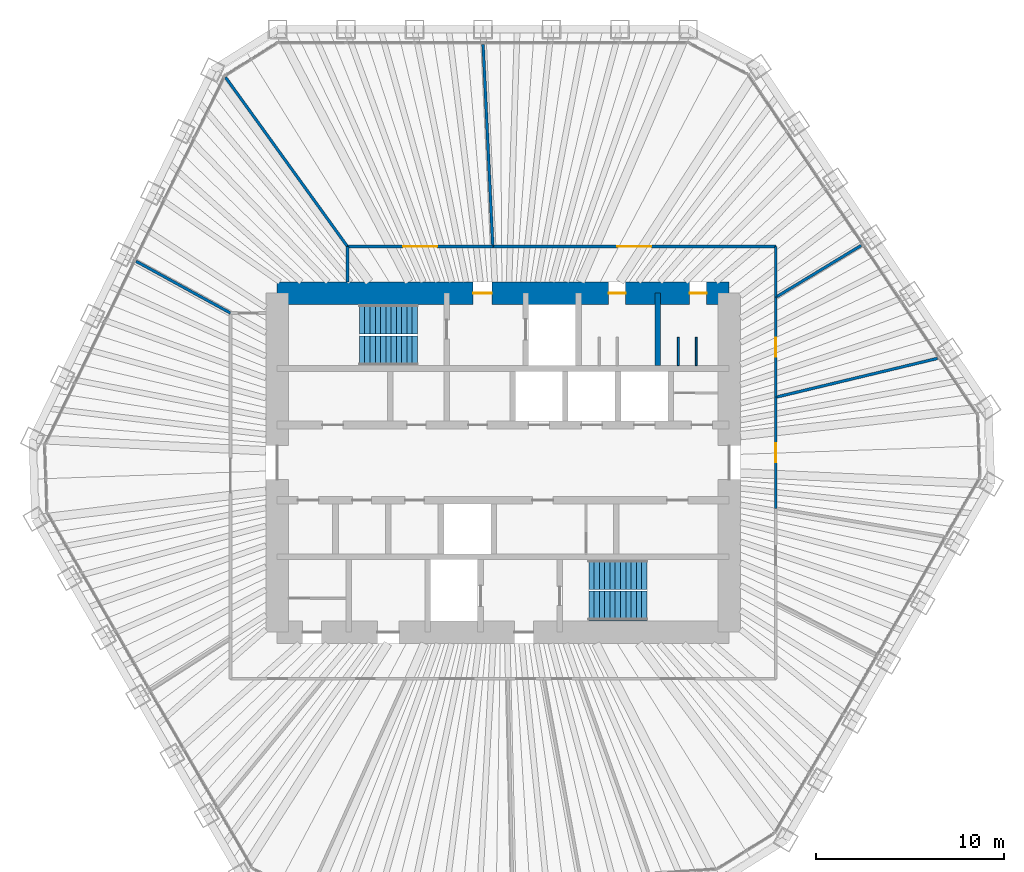
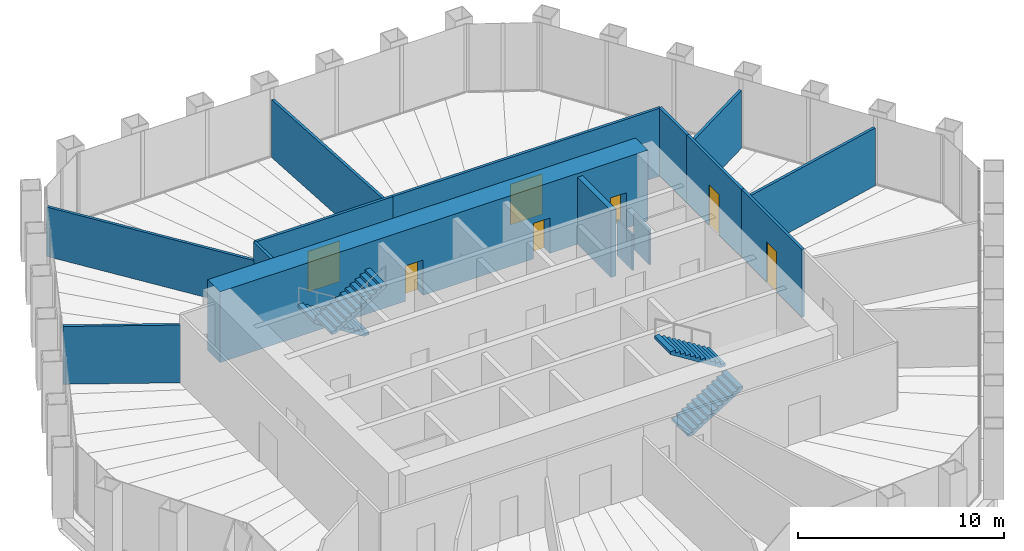
# One storey, part 12 of 13: 15 walls, 7 doors, 4 stair flights, 7 openings, 2 elements without a shape of their own.
"""IFC4 building model written with IfcOpenShell, lengths in metres."""

from ifc_helpers import new_model, si_unit, direction, frame, frame_2d, origin, place, context, subcontext, project, spatial, polyline, rectangle, outline, extrude, material, layer, layer_set, type_object, element, fill, aggregate, save


model = new_model("IFC4")

# Units and contexts
model_context = context("Model", 3, precision=1e-05, world=origin(), true_north=direction((0.0, 1.0)))
body_context = subcontext(model_context, "Body", "Model", "MODEL_VIEW")
ifc_project = project(units=[si_unit("LENGTHUNIT", "METRE"), si_unit("AREAUNIT", "SQUARE_METRE"), si_unit("VOLUMEUNIT", "CUBIC_METRE"), si_unit("PLANEANGLEUNIT", "RADIAN"), si_unit("MASSUNIT", "GRAM", prefix="KILO")], contexts=[model_context])

# Site, building, storey
site_placement = place(None, origin())
site = spatial("IfcSite", under=ifc_project, at=site_placement, CompositionType="ELEMENT")
building_placement = place(site_placement, origin())
building = spatial("IfcBuilding", under=site, at=building_placement, Name="Qingtian Harvest Tower", CompositionType="ELEMENT")
storey_placement = place(building_placement, frame((0.0, 0.0, 230.800048828125)))
storey = spatial("IfcBuildingStorey", under=building, at=storey_placement, Name="L50", CompositionType="ELEMENT", Elevation=230.800048828125)

# Wall
ifc_material_1 = material(Name="Precast concrete shaft panel", Category="concrete")
ifc_layer_1 = layer(ifc_material_1, 0.300048828125)
ifc_layer_set_1 = layer_set([ifc_layer_1], Name="Core shaft partition SW1 300")
wall_type_1 = type_object("IfcWallType", Name="Core shaft partition SW1 300", PredefinedType="PARTITIONING", material=ifc_layer_set_1)
wall_1_placement = place(storey_placement, frame((8.199951171875, 5.14990234375, 0.0), z_axis=(0.0, 0.0, 1.0), x_axis=(0.0, 1.0, 0.0)))
element("IfcWall", 1, at=wall_1_placement, inside=storey, type_object=wall_type_1, Name="Core shaft partition XN4 L50", PredefinedType="PARTITIONING", context=body_context, shape_type="SweptSolid", body=[
    extrude(rectangle(XDim=3.85009765625, YDim=0.300048828125, at=frame_2d((1.925048828125, 0.0))), origin(), (0.0, 0.0, 1.0), 3.97998046875),
])

# Wall, openings, doors
ifc_material_2 = material(Name="Concrete fc' 70 MPa", Category="concrete")
ifc_layer_2 = layer(ifc_material_2, 1.199951171875)
ifc_layer_set_2 = layer_set([ifc_layer_2], Name="Core wall RC2 1200")
wall_type_2 = type_object("IfcWallType", Name="Core wall RC2 1200", PredefinedType="SHEAR", material=ifc_layer_set_2)
wall_2_placement = place(storey_placement, frame((-12.0, 9.0, 0.0), z_axis=(0.0, 0.0, 1.0), x_axis=(1.0, 0.0, 0.0)))
wall_2 = element("IfcWall", 2, at=wall_2_placement, inside=storey, type_object=wall_type_2, Name="Core wall CN L50", PredefinedType="SHEAR", context=body_context, shape_type="SweptSolid", body=[
    extrude(rectangle(XDim=24.0, YDim=1.199951171875, at=frame_2d((12.0, 0.0))), origin(), (0.0, 0.0, 1.0), 4.199951171875),
])
opening_1_placement = place(wall_2_placement, frame((10.39990234375, 0.0, 0.0)))
opening_1 = element("IfcOpeningElement", 3, at=opening_1_placement, cuts=wall_2, Name="Opening FD1", PredefinedType="OPENING", context=body_context, shape_type="SweptSolid", body=[
    extrude(rectangle(XDim=1.0, YDim=2.10009765625, at=frame_2d((0.5, 1.050048828125))), frame((0.0, 0.60986328125, 0.0), z_axis=(0.0, -1.0, 0.0), x_axis=(1.0, 0.0, 0.0)), (0.0, 0.0, 1.0), 1.219970703125),
])
opening_2_placement = place(wall_2_placement, frame((17.60009765625, 0.0, 0.0)))
opening_2 = element("IfcOpeningElement", 4, at=opening_2_placement, cuts=wall_2, Name="Opening D1", PredefinedType="OPENING", context=body_context, shape_type="SweptSolid", body=[
    extrude(rectangle(XDim=0.89990234375, YDim=2.10009765625, at=frame_2d((0.449951171875, 1.050048828125))), frame((0.0, 0.60986328125, 0.0), z_axis=(0.0, -1.0, 0.0), x_axis=(1.0, 0.0, 0.0)), (0.0, 0.0, 1.0), 1.219970703125),
])
opening_3_placement = place(wall_2_placement, frame((21.89990234375, 0.0, 0.0)))
opening_3 = element("IfcOpeningElement", 5, at=opening_3_placement, cuts=wall_2, Name="Opening D1", PredefinedType="OPENING", context=body_context, shape_type="SweptSolid", body=[
    extrude(rectangle(XDim=0.89990234375, YDim=2.10009765625, at=frame_2d((0.449951171875, 1.050048828125))), frame((0.0, 0.60986328125, 0.0), z_axis=(0.0, -1.0, 0.0), x_axis=(1.0, 0.0, 0.0)), (0.0, 0.0, 1.0), 1.219970703125),
])
ifc_material_3 = material(Name="Steel-faced door leaf", Category="steel")
door_type_1 = type_object("IfcDoorType", Name="Fire door FD1 single 1 HR", OperationType="SINGLE_SWING_LEFT", PredefinedType="DOOR", material=ifc_material_3)
door_1_placement = place(opening_1_placement, origin())
door_1 = element("IfcDoor", 6, at=door_1_placement, inside=storey, type_object=door_type_1, Name="V1 door L50", OperationType="SINGLE_SWING_RIGHT", OverallHeight=2.10009765625, OverallWidth=1.0, PredefinedType="DOOR", context=body_context, shape_type="SweptSolid", body=[
    extrude(rectangle(XDim=1.0, YDim=2.10009765625, at=frame_2d((0.5, 1.050048828125))), frame((0.0, 0.02490234375, 0.0), z_axis=(0.0, -1.0, 0.0), x_axis=(1.0, 0.0, 0.0)), (0.0, 0.0, 1.0), 0.050048828125),
])
fill(opening_1, door_1)
ifc_material_4 = material(Name="Laminated timber door leaf", Category="wood")
door_type_2 = type_object("IfcDoorType", Name="Toilet door D1 single", OperationType="SINGLE_SWING_LEFT", PredefinedType="DOOR", material=ifc_material_4)
door_2_placement = place(opening_2_placement, origin())
door_2 = element("IfcDoor", 7, at=door_2_placement, inside=storey, type_object=door_type_2, Name="WCM door L50", OperationType="SINGLE_SWING_LEFT", OverallHeight=2.10009765625, OverallWidth=0.89990234375, PredefinedType="DOOR", context=body_context, shape_type="SweptSolid", body=[
    extrude(rectangle(XDim=0.89990234375, YDim=2.10009765625, at=frame_2d((0.449951171875, 1.050048828125))), frame((0.0, 0.02490234375, 0.0), z_axis=(0.0, -1.0, 0.0), x_axis=(1.0, 0.0, 0.0)), (0.0, 0.0, 1.0), 0.050048828125),
])
fill(opening_2, door_2)
door_3_placement = place(opening_3_placement, origin())
door_3 = element("IfcDoor", 8, at=door_3_placement, inside=storey, type_object=door_type_2, Name="WCF door L50", OperationType="SINGLE_SWING_LEFT", OverallHeight=2.10009765625, OverallWidth=0.89990234375, PredefinedType="DOOR", context=body_context, shape_type="SweptSolid", body=[
    extrude(rectangle(XDim=0.89990234375, YDim=2.10009765625, at=frame_2d((0.449951171875, 1.050048828125))), frame((0.0, 0.02490234375, 0.0), z_axis=(0.0, -1.0, 0.0), x_axis=(1.0, 0.0, 0.0)), (0.0, 0.0, 1.0), 0.050048828125),
])
fill(opening_3, door_3)

# Walls
ifc_material_5 = material(Name="Gypsum board on steel studs", Category="steel")
ifc_layer_3 = layer(ifc_material_5, 0.14990234375)
ifc_layer_set_3 = layer_set([ifc_layer_3], Name="Partition PT1 150")
wall_type_3 = type_object("IfcWallType", Name="Partition PT1 150", PredefinedType="PARTITIONING", material=ifc_layer_set_3)
wall_3_placement = place(storey_placement, frame((-19.48583984375, 10.6904296875, 0.0), z_axis=(0.0, 0.0, 1.0), x_axis=(0.876724089264, -0.480993629172, 0.0)))
element("IfcWall", 9, at=wall_3_placement, inside=storey, type_object=wall_type_3, Name="Office suite wall L50", PredefinedType="PARTITIONING", context=body_context, shape_type="SweptSolid", body=[
    extrude(rectangle(XDim=5.71533203125, YDim=0.14990234375, at=frame_2d((2.857666015625, 0.0))), origin(), (0.0, 0.0, 1.0), 3.429931640625),
])
wall_4_placement = place(storey_placement, frame((-8.26708984375, 9.60009765625, 0.0), z_axis=(0.0, 0.0, 1.0), x_axis=(0.0, 1.0, 0.0)))
element("IfcWall", 10, at=wall_4_placement, inside=storey, type_object=wall_type_3, Name="Office suite wall L50", PredefinedType="PARTITIONING", context=body_context, shape_type="SweptSolid", body=[
    extrude(rectangle(XDim=1.875, YDim=0.14990234375, at=frame_2d((0.9375, 0.0))), origin(), (0.0, 0.0, 1.0), 4.030029296875),
])
wall_5_placement = place(storey_placement, frame((-14.736572265625, 20.454833984375, 0.0), z_axis=(0.0, 0.0, 1.0), x_axis=(0.584547025688, -0.811359830629, 0.0)))
element("IfcWall", 11, at=wall_5_placement, inside=storey, type_object=wall_type_3, Name="Meeting room wall L50", PredefinedType="PARTITIONING", context=body_context, shape_type="SweptSolid", body=[
    extrude(rectangle(XDim=11.067626953125, YDim=0.14990234375, at=frame_2d((5.53369140625, 0.0))), origin(), (0.0, 0.0, 1.0), 2.929931640625),
])

# Wall, opening, door
wall_6_placement = place(storey_placement, frame((-8.26708984375, 11.47509765625, 0.0), z_axis=(0.0, 0.0, 1.0), x_axis=(1.0, 0.0, 0.0)))
wall_6 = element("IfcWall", 12, at=wall_6_placement, inside=storey, type_object=wall_type_3, Name="Meeting room wall L50", PredefinedType="PARTITIONING", context=body_context, shape_type="SweptSolid", body=[
    extrude(rectangle(XDim=7.7158203125, YDim=0.14990234375, at=frame_2d((3.85791015625, 0.0))), origin(), (0.0, 0.0, 1.0), 4.030029296875),
])
opening_4_placement = place(wall_6_placement, frame((2.957763671875, 0.0, 0.0)))
opening_4 = element("IfcOpeningElement", 13, at=opening_4_placement, cuts=wall_6, Name="Opening D3", PredefinedType="OPENING", context=body_context, shape_type="SweptSolid", body=[
    extrude(rectangle(XDim=1.800048828125, YDim=2.39990234375, at=frame_2d((0.89990234375, 1.199951171875))), frame((0.0, 0.0849609375, 0.0), z_axis=(0.0, -1.0, 0.0), x_axis=(1.0, 0.0, 0.0)), (0.0, 0.0, 1.0), 0.169921875),
])
ifc_material_6 = material(Name="Laminated timber door leaf", Category="wood")
door_type_3 = type_object("IfcDoorType", Name="Room door D3 double", OperationType="DOUBLE_DOOR_DOUBLE_SWING", PredefinedType="DOOR", material=ifc_material_6)
door_4_placement = place(opening_4_placement, origin())
door_4 = element("IfcDoor", 14, at=door_4_placement, inside=storey, type_object=door_type_3, Name="Meeting room door L50", OperationType="DOUBLE_DOOR_DOUBLE_SWING", OverallHeight=2.39990234375, OverallWidth=1.800048828125, PredefinedType="DOOR", context=body_context, shape_type="SweptSolid", body=[
    extrude(rectangle(XDim=1.800048828125, YDim=2.39990234375, at=frame_2d((0.89990234375, 1.199951171875))), frame((0.0, 0.02490234375, 0.0), z_axis=(0.0, -1.0, 0.0), x_axis=(1.0, 0.0, 0.0)), (0.0, 0.0, 1.0), 0.050048828125),
])
fill(opening_4, door_4)

# Wall
wall_7_placement = place(storey_placement, frame((-1.066650390625, 22.2001953125, 0.0), z_axis=(0.0, 0.0, 1.0), x_axis=(0.047998335863, -0.998847415652, 0.0)))
element("IfcWall", 15, at=wall_7_placement, inside=storey, type_object=wall_type_3, Name="Office suite wall L50", PredefinedType="PARTITIONING", context=body_context, shape_type="SweptSolid", body=[
    extrude(rectangle(XDim=10.737548828125, YDim=0.14990234375, at=frame_2d((5.36865234375, 0.0))), origin(), (0.0, 0.0, 1.0), 3.429931640625),
])

# Wall, opening, door
wall_8_placement = place(storey_placement, frame((-0.55126953125, 11.47509765625, 0.0), z_axis=(0.0, 0.0, 1.0), x_axis=(1.0, 0.0, 0.0)))
wall_8 = element("IfcWall", 16, at=wall_8_placement, inside=storey, type_object=wall_type_3, Name="Office suite wall L50", PredefinedType="PARTITIONING", context=body_context, shape_type="SweptSolid", body=[
    extrude(rectangle(XDim=15.0263671875, YDim=0.14990234375, at=frame_2d((7.51318359375, 0.0))), origin(), (0.0, 0.0, 1.0), 4.030029296875),
])
opening_5_placement = place(wall_8_placement, frame((6.613037109375, 0.0, 0.0)))
opening_5 = element("IfcOpeningElement", 17, at=opening_5_placement, cuts=wall_8, Name="Opening D3", PredefinedType="OPENING", context=body_context, shape_type="SweptSolid", body=[
    extrude(rectangle(XDim=1.800048828125, YDim=2.39990234375, at=frame_2d((0.89990234375, 1.199951171875))), frame((0.0, 0.0849609375, 0.0), z_axis=(0.0, -1.0, 0.0), x_axis=(1.0, 0.0, 0.0)), (0.0, 0.0, 1.0), 0.169921875),
])
door_5_placement = place(opening_5_placement, origin())
door_5 = element("IfcDoor", 18, at=door_5_placement, inside=storey, type_object=door_type_3, Name="Office suite door L50", OperationType="DOUBLE_DOOR_DOUBLE_SWING", OverallHeight=2.39990234375, OverallWidth=1.800048828125, PredefinedType="DOOR", context=body_context, shape_type="SweptSolid", body=[
    extrude(rectangle(XDim=1.800048828125, YDim=2.39990234375, at=frame_2d((0.89990234375, 1.199951171875))), frame((0.0, 0.02490234375, 0.0), z_axis=(0.0, -1.0, 0.0), x_axis=(1.0, 0.0, 0.0)), (0.0, 0.0, 1.0), 0.050048828125),
])
fill(opening_5, door_5)

# Walls
wall_9_placement = place(storey_placement, frame((14.47509765625, 11.47509765625, 0.0), z_axis=(0.0, 0.0, 1.0), x_axis=(0.0, -1.0, 0.0)))
element("IfcWall", 19, at=wall_9_placement, inside=storey, type_object=wall_type_3, Name="Office suite wall L50", PredefinedType="PARTITIONING", context=body_context, shape_type="SweptSolid", body=[
    extrude(rectangle(XDim=2.691650390625, YDim=0.14990234375, at=frame_2d((1.345703125, 0.0))), origin(), (0.0, 0.0, 1.0), 4.030029296875),
])
wall_10_placement = place(storey_placement, frame((19.001220703125, 11.530029296875, 0.0), z_axis=(0.0, 0.0, 1.0), x_axis=(-0.854906581035, -0.518781975114, 0.0)))
element("IfcWall", 20, at=wall_10_placement, inside=storey, type_object=wall_type_3, Name="Pantry wall L50", PredefinedType="PARTITIONING", context=body_context, shape_type="SweptSolid", body=[
    extrude(rectangle(XDim=5.294189453125, YDim=0.14990234375, at=frame_2d((2.64697265625, 0.0))), origin(), (0.0, 0.0, 1.0), 3.429931640625),
])

# Wall, opening, door
wall_11_placement = place(storey_placement, frame((14.47509765625, 8.783447265625, 0.0), z_axis=(0.0, 0.0, 1.0), x_axis=(0.0, -1.0, 0.0)))
wall_11 = element("IfcWall", 21, at=wall_11_placement, inside=storey, type_object=wall_type_3, Name="Pantry wall L50", PredefinedType="PARTITIONING", context=body_context, shape_type="SweptSolid", body=[
    extrude(rectangle(XDim=5.308837890625, YDim=0.14990234375, at=frame_2d((2.654296875, 0.0))), origin(), (0.0, 0.0, 1.0), 4.030029296875),
])
opening_6_placement = place(wall_11_placement, frame((2.154296875, 0.0, 0.0)))
opening_6 = element("IfcOpeningElement", 22, at=opening_6_placement, cuts=wall_11, Name="Opening D2", PredefinedType="OPENING", context=body_context, shape_type="SweptSolid", body=[
    extrude(rectangle(XDim=1.0, YDim=2.39990234375, at=frame_2d((0.5, 1.199951171875))), frame((0.0, 0.0849609375, 0.0), z_axis=(0.0, -1.0, 0.0), x_axis=(1.0, 0.0, 0.0)), (0.0, 0.0, 1.0), 0.169921875),
])
ifc_material_7 = material(Name="Laminated timber door leaf", Category="wood")
door_type_4 = type_object("IfcDoorType", Name="Room door D2 single", OperationType="SINGLE_SWING_LEFT", PredefinedType="DOOR", material=ifc_material_7)
door_6_placement = place(opening_6_placement, origin())
door_6 = element("IfcDoor", 23, at=door_6_placement, inside=storey, type_object=door_type_4, Name="Pantry door L50", OperationType="SINGLE_SWING_LEFT", OverallHeight=2.39990234375, OverallWidth=1.0, PredefinedType="DOOR", context=body_context, shape_type="SweptSolid", body=[
    extrude(rectangle(XDim=1.0, YDim=2.39990234375, at=frame_2d((0.5, 1.199951171875))), frame((0.0, 0.02490234375, 0.0), z_axis=(0.0, -1.0, 0.0), x_axis=(1.0, 0.0, 0.0)), (0.0, 0.0, 1.0), 0.050048828125),
])
fill(opening_6, door_6)

# Wall
wall_12_placement = place(storey_placement, frame((23.052978515625, 5.53369140625, 0.0), z_axis=(0.0, 0.0, 1.0), x_axis=(-0.972377252501, -0.233414821335, 0.0)))
element("IfcWall", 24, at=wall_12_placement, inside=storey, type_object=wall_type_3, Name="Private office wall L50", PredefinedType="PARTITIONING", context=body_context, shape_type="SweptSolid", body=[
    extrude(rectangle(XDim=8.821533203125, YDim=0.14990234375, at=frame_2d((4.41064453125, 0.0))), origin(), (0.0, 0.0, 1.0), 3.429931640625),
])

# Wall, opening, door
wall_13_placement = place(storey_placement, frame((14.47509765625, 3.474609375, 0.0), z_axis=(0.0, 0.0, 1.0), x_axis=(0.0, -1.0, 0.0)))
wall_13 = element("IfcWall", 25, at=wall_13_placement, inside=storey, type_object=wall_type_3, Name="Private office wall L50", PredefinedType="PARTITIONING", context=body_context, shape_type="SweptSolid", body=[
    extrude(rectangle(XDim=5.896484375, YDim=0.14990234375, at=frame_2d((2.9482421875, 0.0))), origin(), (0.0, 0.0, 1.0), 4.030029296875),
])
opening_7_placement = place(wall_13_placement, frame((2.4482421875, 0.0, 0.0)))
opening_7 = element("IfcOpeningElement", 26, at=opening_7_placement, cuts=wall_13, Name="Opening D2", PredefinedType="OPENING", context=body_context, shape_type="SweptSolid", body=[
    extrude(rectangle(XDim=1.0, YDim=2.39990234375, at=frame_2d((0.5, 1.199951171875))), frame((0.0, 0.0849609375, 0.0), z_axis=(0.0, -1.0, 0.0), x_axis=(1.0, 0.0, 0.0)), (0.0, 0.0, 1.0), 0.169921875),
])
door_7_placement = place(opening_7_placement, origin())
door_7 = element("IfcDoor", 27, at=door_7_placement, inside=storey, type_object=door_type_4, Name="Private office door L50", OperationType="SINGLE_SWING_RIGHT", OverallHeight=2.39990234375, OverallWidth=1.0, PredefinedType="DOOR", context=body_context, shape_type="SweptSolid", body=[
    extrude(rectangle(XDim=1.0, YDim=2.39990234375, at=frame_2d((0.5, 1.199951171875))), frame((0.0, 0.02490234375, 0.0), z_axis=(0.0, -1.0, 0.0), x_axis=(1.0, 0.0, 0.0)), (0.0, 0.0, 1.0), 0.050048828125),
])
fill(opening_7, door_7)

# Walls
ifc_material_8 = material(Name="Compact laminate cubicle partition", Category="plastic")
ifc_layer_4 = layer(ifc_material_8, 0.10009765625)
ifc_layer_set_4 = layer_set([ifc_layer_4], Name="WC cubicle partition WP1 100")
wall_type_4 = type_object("IfcWallType", Name="WC cubicle partition WP1 100", PredefinedType="PARTITIONING", material=ifc_layer_set_4)
for number, where, z_axis, x_axis, name in (
    (28, (9.300048828125, 5.14990234375, 0.0), (0.0, 0.0, 1.0), (0.0, 1.0, 0.0), "WC cubicle partition WCF L50"),
    (29, (10.25, 5.14990234375, 0.0), (0.0, 0.0, 1.0), (0.0, 1.0, 0.0), "WC cubicle partition WCF L50"),
):
    element("IfcWall", number, at=place(storey_placement, frame(where, z_axis=z_axis, x_axis=x_axis)), inside=storey, type_object=wall_type_4, Name=name, PredefinedType="PARTITIONING", context=body_context, shape_type="SweptSolid", body=[
        extrude(rectangle(XDim=1.5, YDim=0.10009765625, at=frame_2d((0.75, 0.0))), origin(), (0.0, 0.0, 1.0), 2.099853515625),
    ])

# Stair, stair flights
ifc_material_9 = material(Name="Concrete fc' 35 MPa", Category="concrete")
stair_type = type_object("IfcStairType", Name="Special stair ST4 4200", PredefinedType="HALF_TURN_STAIR", material=ifc_material_9)
stair_1_placement = place(storey_placement, origin())
stair_1 = element("IfcStair", 30, at=stair_1_placement, inside=storey, type_object=stair_type, Name="Special stair S1 L50", PredefinedType="HALF_TURN_STAIR")
ifc_material_10 = material(Name="Concrete fc' 35 MPa", Category="concrete")
stair_flight_type = type_object("IfcStairFlightType", Name="Stair flight SF4 4200", PredefinedType="STRAIGHT", material=ifc_material_10)
stair_flight_1_placement = place(storey_placement, frame((-4.550048828125, 7.612548828125, 0.0), z_axis=(0.0, 0.0, 1.0), x_axis=(-1.0, 0.0, 0.0)))
stair_flight_1 = element("IfcStairFlight", 31, at=stair_flight_1_placement, type_object=stair_flight_type, Name="S1 flight 1", NumberOfRisers=12, NumberOfTreads=11, PredefinedType="STRAIGHT", RiserHeight=0.175, TreadLength=0.28, context=body_context, shape_type="SweptSolid", body=[
    extrude(outline(polyline([(0.0, 0.0), (0.0, 0.175048828125), (0.280029296875, 0.175048828125), (0.280029296875, 0.35009765625), (0.56005859375, 0.35009765625), (0.56005859375, 0.52490234375), (0.840087890625, 0.52490234375), (0.840087890625, 0.699951171875), (1.1201171875, 0.699951171875), (1.1201171875, 0.875), (1.39990234375, 0.875), (1.39990234375, 1.050048828125), (1.679931640625, 1.050048828125), (1.679931640625, 1.22509765625), (1.9599609375, 1.22509765625), (1.9599609375, 1.39990234375), (2.239990234375, 1.39990234375), (2.239990234375, 1.574951171875), (2.52001953125, 1.574951171875), (2.52001953125, 1.75), (2.800048828125, 1.75), (2.800048828125, 1.925048828125), (3.080078125, 1.925048828125), (3.080078125, 2.10009765625), (3.080078125, 1.748291015625), (0.28271484375, 0.0), (0.0, 0.0)])), frame((0.0, 0.78759765625, 0.0), z_axis=(0.0, -1.0, 0.0), x_axis=(1.0, 0.0, 0.0)), (0.0, 0.0, 1.0), 1.574951171875),
])
stair_flight_2_placement = place(storey_placement, frame((-7.6298828125, 5.9375, 2.099853515625), z_axis=(0.0, 0.0, 1.0), x_axis=(1.0, 0.0, 0.0)))
stair_flight_2 = element("IfcStairFlight", 32, at=stair_flight_2_placement, type_object=stair_flight_type, Name="S1 flight 2", NumberOfRisers=12, NumberOfTreads=11, PredefinedType="STRAIGHT", RiserHeight=0.175, TreadLength=0.28, context=body_context, shape_type="SweptSolid", body=[
    extrude(outline(polyline([(0.0, 0.0), (0.0, 0.175048828125), (0.280029296875, 0.175048828125), (0.280029296875, 0.35009765625), (0.56005859375, 0.35009765625), (0.56005859375, 0.52490234375), (0.840087890625, 0.52490234375), (0.840087890625, 0.699951171875), (1.1201171875, 0.699951171875), (1.1201171875, 0.875), (1.39990234375, 0.875), (1.39990234375, 1.050048828125), (1.679931640625, 1.050048828125), (1.679931640625, 1.22509765625), (1.9599609375, 1.22509765625), (1.9599609375, 1.39990234375), (2.239990234375, 1.39990234375), (2.239990234375, 1.574951171875), (2.52001953125, 1.574951171875), (2.52001953125, 1.75), (2.800048828125, 1.75), (2.800048828125, 1.925048828125), (3.080078125, 1.925048828125), (3.080078125, 2.10009765625), (3.080078125, 1.748291015625), (0.28271484375, 0.0), (0.0, 0.0)])), frame((0.0, 0.78759765625, 0.0), z_axis=(0.0, -1.0, 0.0), x_axis=(1.0, 0.0, 0.0)), (0.0, 0.0, 1.0), 1.574951171875),
])
aggregate(stair_1, [stair_flight_1, stair_flight_2])

stair_2_placement = place(storey_placement, origin())
stair_2 = element("IfcStair", 33, at=stair_2_placement, inside=storey, type_object=stair_type, Name="Special stair S2 L50", PredefinedType="HALF_TURN_STAIR")
stair_flight_3_placement = place(storey_placement, frame((4.550048828125, -7.612548828125, 0.0), z_axis=(0.0, 0.0, 1.0), x_axis=(1.0, 0.0, 0.0)))
stair_flight_3 = element("IfcStairFlight", 34, at=stair_flight_3_placement, type_object=stair_flight_type, Name="S2 flight 1", NumberOfRisers=12, NumberOfTreads=11, PredefinedType="STRAIGHT", RiserHeight=0.175, TreadLength=0.28, context=body_context, shape_type="SweptSolid", body=[
    extrude(outline(polyline([(0.0, 0.0), (0.0, 0.175048828125), (0.280029296875, 0.175048828125), (0.280029296875, 0.35009765625), (0.56005859375, 0.35009765625), (0.56005859375, 0.52490234375), (0.840087890625, 0.52490234375), (0.840087890625, 0.699951171875), (1.1201171875, 0.699951171875), (1.1201171875, 0.875), (1.39990234375, 0.875), (1.39990234375, 1.050048828125), (1.679931640625, 1.050048828125), (1.679931640625, 1.22509765625), (1.9599609375, 1.22509765625), (1.9599609375, 1.39990234375), (2.239990234375, 1.39990234375), (2.239990234375, 1.574951171875), (2.52001953125, 1.574951171875), (2.52001953125, 1.75), (2.800048828125, 1.75), (2.800048828125, 1.925048828125), (3.080078125, 1.925048828125), (3.080078125, 2.10009765625), (3.080078125, 1.748291015625), (0.28271484375, 0.0), (0.0, 0.0)])), frame((0.0, 0.78759765625, 0.0), z_axis=(0.0, -1.0, 0.0), x_axis=(1.0, 0.0, 0.0)), (0.0, 0.0, 1.0), 1.574951171875),
])
stair_flight_4_placement = place(storey_placement, frame((7.6298828125, -5.9375, 2.099853515625), z_axis=(0.0, 0.0, 1.0), x_axis=(-1.0, 0.0, 0.0)))
stair_flight_4 = element("IfcStairFlight", 35, at=stair_flight_4_placement, type_object=stair_flight_type, Name="S2 flight 2", NumberOfRisers=12, NumberOfTreads=11, PredefinedType="STRAIGHT", RiserHeight=0.175, TreadLength=0.28, context=body_context, shape_type="SweptSolid", body=[
    extrude(outline(polyline([(0.0, 0.0), (0.0, 0.175048828125), (0.280029296875, 0.175048828125), (0.280029296875, 0.35009765625), (0.56005859375, 0.35009765625), (0.56005859375, 0.52490234375), (0.840087890625, 0.52490234375), (0.840087890625, 0.699951171875), (1.1201171875, 0.699951171875), (1.1201171875, 0.875), (1.39990234375, 0.875), (1.39990234375, 1.050048828125), (1.679931640625, 1.050048828125), (1.679931640625, 1.22509765625), (1.9599609375, 1.22509765625), (1.9599609375, 1.39990234375), (2.239990234375, 1.39990234375), (2.239990234375, 1.574951171875), (2.52001953125, 1.574951171875), (2.52001953125, 1.75), (2.800048828125, 1.75), (2.800048828125, 1.925048828125), (3.080078125, 1.925048828125), (3.080078125, 2.10009765625), (3.080078125, 1.748291015625), (0.28271484375, 0.0), (0.0, 0.0)])), frame((0.0, 0.78759765625, 0.0), z_axis=(0.0, -1.0, 0.0), x_axis=(1.0, 0.0, 0.0)), (0.0, 0.0, 1.0), 1.574951171875),
])
aggregate(stair_2, [stair_flight_3, stair_flight_4])

save(model, "model.ifc")
